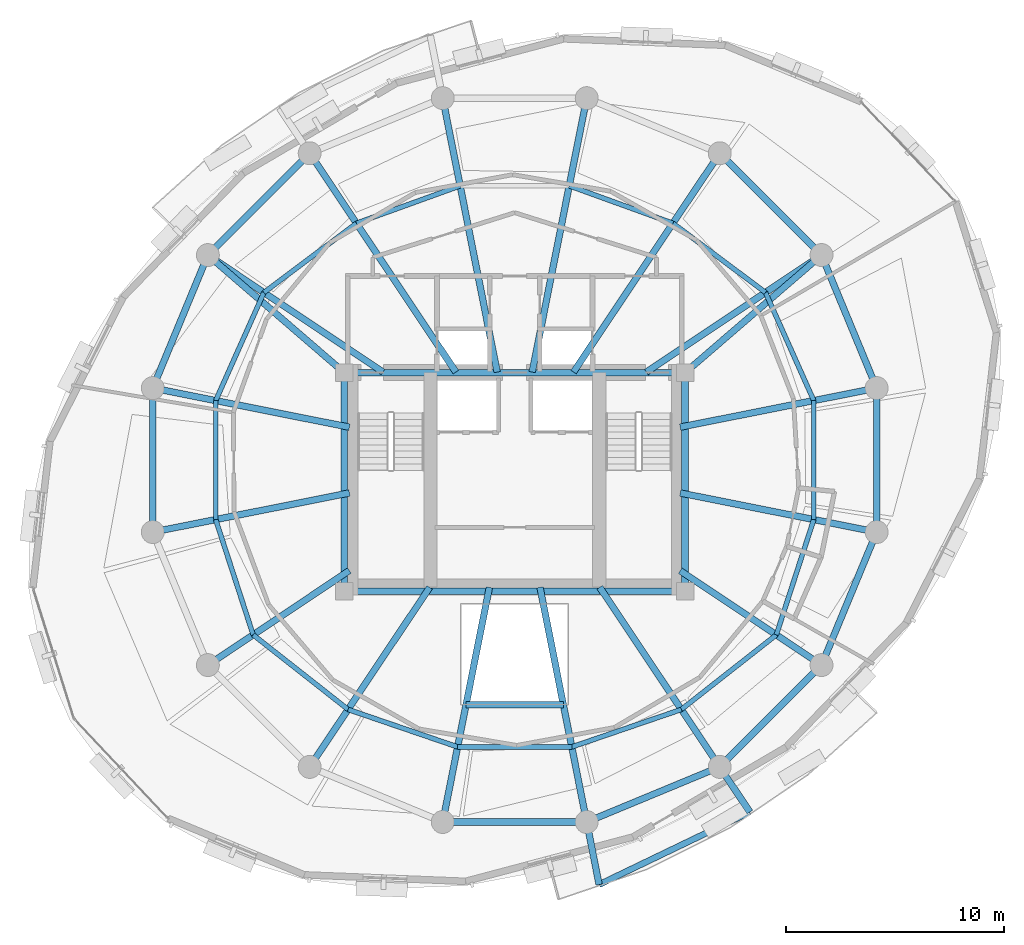
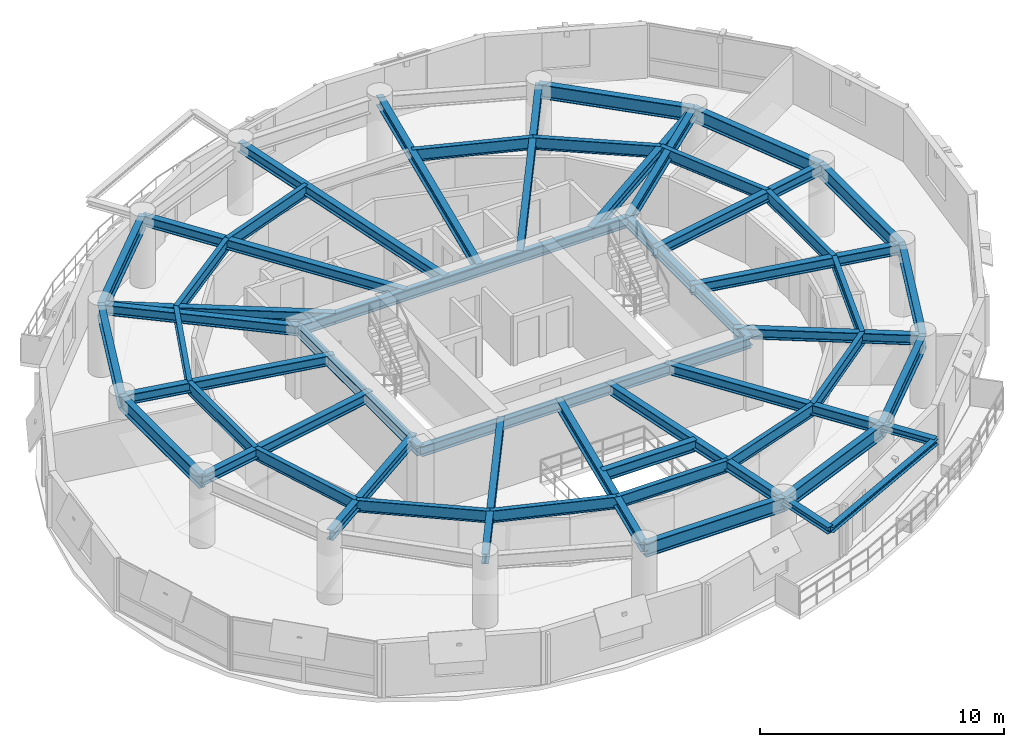
# One storey, part 5 of 14: 51 beams.
"""IFC4 building model written with IfcOpenShell, lengths in metres."""

from ifc_helpers import new_model, si_unit, direction, frame, origin, origin_2d, place, context, subcontext, project, spatial, i_section, extrude, material, material_profile, profile_set, type_object, element, save


model = new_model("IFC4")

# Units and contexts
model_context = context("Model", 3, precision=1e-05, world=origin(), true_north=direction((0.0, 1.0)))
body_context = subcontext(model_context, "Body", "Model", "MODEL_VIEW")
ifc_project = project(units=[si_unit("LENGTHUNIT", "METRE"), si_unit("AREAUNIT", "SQUARE_METRE"), si_unit("VOLUMEUNIT", "CUBIC_METRE"), si_unit("PLANEANGLEUNIT", "RADIAN"), si_unit("MASSUNIT", "GRAM", prefix="KILO"), si_unit("THERMODYNAMICTEMPERATUREUNIT", "KELVIN"), si_unit("POWERUNIT", "WATT")], contexts=[model_context])

# Site, building, storey
site_placement = place(None, origin())
site = spatial("IfcSite", under=ifc_project, at=site_placement, CompositionType="ELEMENT")
building_placement = place(site_placement, origin())
building = spatial("IfcBuilding", under=site, at=building_placement, Name="Ocrelia Relay Tower", CompositionType="ELEMENT")
storey_placement = place(building_placement, frame((0.0, 0.0, 162.800048828125)))
storey = spatial("IfcBuildingStorey", under=building, at=storey_placement, Name="L38", CompositionType="ELEMENT", Elevation=162.800048828125)

# Beams
ifc_material = material(Name="Steel S355", Category="steel")
ifc_material_profile_1 = material_profile(ifc_material, i_section(OverallWidth=0.280029296875, OverallDepth=0.27001953125, WebThickness=0.008056640625, FlangeThickness=0.012939453125, FilletRadius=0.02392578125, at=origin_2d()), Name="HEA 280")
ifc_profile_set_1 = profile_set([ifc_material_profile_1], Name="Steel S355")
beam_type_1 = type_object("IfcBeamType", Name="BM-HEA280", PredefinedType="BEAM", material=ifc_profile_set_1)
beam_1_placement = place(storey_placement, frame((37.8671875, 6.5576171875, 3.244873046875), z_axis=(0.900981832354, 0.433856817129, 0.0), x_axis=(-0.433856817129, 0.900981832354, 0.0)))
element("IfcBeam", 1, at=beam_1_placement, inside=storey, type_object=beam_type_1, Name="L39 Balcony Edge Trimmer Beam B2", PredefinedType="BEAM", context=body_context, shape_type="SweptSolid", body=[
    extrude(i_section(OverallWidth=0.280029296875, OverallDepth=0.27001953125, WebThickness=0.008056640625, FlangeThickness=0.012939453125, FilletRadius=0.02392578125, at=origin_2d()), origin(), (0.0, 0.0, 1.0), 7.661376953125),
])
ifc_material_profile_2 = material_profile(ifc_material, i_section(OverallWidth=0.300048828125, OverallDepth=0.330078125, WebThickness=0.009521484375, FlangeThickness=0.0166015625, FilletRadius=0.027099609375, at=origin_2d()), Name="HEA 340")
ifc_profile_set_2 = profile_set([ifc_material_profile_2], Name="Steel S355")
beam_type_2 = type_object("IfcBeamType", Name="BM-HEA340", PredefinedType="BEAM", material=ifc_profile_set_2)
beam_2_placement = place(storey_placement, frame((37.297119140625, 9.4248046875, 3.21484375), z_axis=(0.195007828368, -0.980801685804, 0.0), x_axis=(0.980801685804, 0.195007828368, 0.0)))
element("IfcBeam", 2, at=beam_2_placement, inside=storey, type_object=beam_type_2, Name="L39 Balcony Cantilever Beam B2-1", PredefinedType="BEAM", context=body_context, shape_type="SweptSolid", body=[
    extrude(i_section(OverallWidth=0.300048828125, OverallDepth=0.330078125, WebThickness=0.009521484375, FlangeThickness=0.0166015625, FilletRadius=0.027099609375, at=origin_2d()), origin(), (0.0, 0.0, 1.0), 2.92333984375),
])
beam_3_placement = place(storey_placement, frame((43.38916015625, 11.9482421875, 3.21484375), z_axis=(0.555561257704, -0.831475609347, 0.0), x_axis=(0.831475609347, 0.555561257704, 0.0)))
element("IfcBeam", 3, at=beam_3_placement, inside=storey, type_object=beam_type_2, Name="L39 Balcony Cantilever Beam B2-2", PredefinedType="BEAM", context=body_context, shape_type="SweptSolid", body=[
    extrude(i_section(OverallWidth=0.300048828125, OverallDepth=0.330078125, WebThickness=0.009521484375, FlangeThickness=0.0166015625, FilletRadius=0.027099609375, at=origin_2d()), origin(), (0.0, 0.0, 1.0), 2.485595703125),
])
ifc_material_profile_3 = material_profile(ifc_material, i_section(OverallWidth=0.300048828125, OverallDepth=0.5, WebThickness=0.014404296875, FlangeThickness=0.028076171875, FilletRadius=0.027099609375, at=origin_2d()), Name="HEB 500")
ifc_profile_set_3 = profile_set([ifc_material_profile_3], Name="Steel S355")
beam_type_3 = type_object("IfcBeamType", Name="BM-HEB500", PredefinedType="BEAM", material=ifc_profile_set_3)
for number, where, z_axis, x_axis, name in (
    (4, (26.199951171875, 20.0, 3.1298828125), (1.0, 0.0, 0.0), (0.0, 1.0, 0.0), "L38 Core Pilaster Tie Beam S"),
    (5, (26.199951171875, 30.0, 3.1298828125), (1.0, 0.0, 0.0), (0.0, 1.0, 0.0), "L38 Core Pilaster Tie Beam N"),
):
    element("IfcBeam", number, at=place(storey_placement, frame(where, z_axis=z_axis, x_axis=x_axis)), inside=storey, type_object=beam_type_3, Name=name, PredefinedType="BEAM", context=body_context, shape_type="SweptSolid", body=[
        extrude(i_section(OverallWidth=0.300048828125, OverallDepth=0.5, WebThickness=0.014404296875, FlangeThickness=0.028076171875, FilletRadius=0.027099609375, at=origin_2d()), origin(), (0.0, 0.0, 1.0), 15.60009765625),
    ])
for number, where, z_axis, x_axis, name in (
    (6, (26.199951171875, 20.0, 3.1298828125), (0.0, 1.0, 0.0), (-1.0, 0.0, 0.0), "L38 Core Pilaster Tie Beam W"),
    (7, (41.800048828125, 20.0, 3.1298828125), (0.0, 1.0, 0.0), (-1.0, 0.0, 0.0), "L38 Core Pilaster Tie Beam E"),
):
    element("IfcBeam", number, at=place(storey_placement, frame(where, z_axis=z_axis, x_axis=x_axis)), inside=storey, type_object=beam_type_3, Name=name, PredefinedType="BEAM", context=body_context, shape_type="SweptSolid", body=[
        extrude(i_section(OverallWidth=0.300048828125, OverallDepth=0.5, WebThickness=0.014404296875, FlangeThickness=0.028076171875, FilletRadius=0.027099609375, at=origin_2d()), origin(), (0.0, 0.0, 1.0), 10.0),
    ])
beam_4_placement = place(storey_placement, frame((50.5751953125, 29.297119140625, 3.1298828125), z_axis=(-0.980783891197, -0.1950973059, 0.0), x_axis=(0.1950973059, -0.980783891197, 0.0)))
element("IfcBeam", 8, at=beam_4_placement, inside=storey, type_object=beam_type_3, Name="L38 Radial Floor Girder R01", PredefinedType="BEAM", context=body_context, shape_type="SweptSolid", body=[
    extrude(i_section(OverallWidth=0.300048828125, OverallDepth=0.5, WebThickness=0.014404296875, FlangeThickness=0.028076171875, FilletRadius=0.027099609375, at=origin_2d()), origin(), (0.0, 0.0, 1.0), 9.17138671875),
])
beam_5_placement = place(storey_placement, frame((48.0517578125, 35.38916015625, 3.1298828125), z_axis=(-0.831469666235, -0.555570152305, 0.0), x_axis=(0.555570152305, -0.831469666235, 0.0)))
element("IfcBeam", 9, at=beam_5_placement, inside=storey, type_object=beam_type_3, Name="L38 Radial Floor Girder R02", PredefinedType="BEAM", context=body_context, shape_type="SweptSolid", body=[
    extrude(i_section(OverallWidth=0.300048828125, OverallDepth=0.5, WebThickness=0.014404296875, FlangeThickness=0.028076171875, FilletRadius=0.027099609375, at=origin_2d()), origin(), (0.0, 0.0, 1.0), 9.646240234375),
])
beam_6_placement = place(storey_placement, frame((48.0517578125, 35.38916015625, 3.1298828125), z_axis=(-0.757424589403, -0.652922653434, 0.0), x_axis=(0.652922653434, -0.757424589403, 0.0)))
element("IfcBeam", 10, at=beam_6_placement, inside=storey, type_object=beam_type_3, Name="L38 Core Pilaster Frame Tie Beam PT02", PredefinedType="BEAM", context=body_context, shape_type="SweptSolid", body=[
    extrude(i_section(OverallWidth=0.300048828125, OverallDepth=0.5, WebThickness=0.014404296875, FlangeThickness=0.028076171875, FilletRadius=0.027099609375, at=origin_2d()), origin(), (0.0, 0.0, 1.0), 8.25390625),
])
beam_7_placement = place(storey_placement, frame((43.38916015625, 40.0517578125, 3.1298828125), z_axis=(-0.55556932408, -0.831470219636, 0.0), x_axis=(0.831470219636, -0.55556932408, 0.0)))
element("IfcBeam", 11, at=beam_7_placement, inside=storey, type_object=beam_type_3, Name="L38 Radial Floor Girder R03", PredefinedType="BEAM", context=body_context, shape_type="SweptSolid", body=[
    extrude(i_section(OverallWidth=0.300048828125, OverallDepth=0.5, WebThickness=0.014404296875, FlangeThickness=0.028076171875, FilletRadius=0.027099609375, at=origin_2d()), origin(), (0.0, 0.0, 1.0), 12.052978515625),
])
for number, where, z_axis, x_axis, name in (
    (12, (37.297119140625, 42.5751953125, 3.1298828125), (-0.195106626135, -0.980782037171, 0.0), (0.980782037171, -0.195106626135, 0.0), "L38 Radial Floor Girder R04"),
    (13, (30.702880859375, 42.5751953125, 3.1298828125), (0.195106626135, -0.980782037171, 0.0), (0.980782037171, 0.195106626135, 0.0), "L38 Radial Floor Girder R05"),
):
    element("IfcBeam", number, at=place(storey_placement, frame(where, z_axis=z_axis, x_axis=x_axis)), inside=storey, type_object=beam_type_3, Name=name, PredefinedType="BEAM", context=body_context, shape_type="SweptSolid", body=[
        extrude(i_section(OverallWidth=0.300048828125, OverallDepth=0.5, WebThickness=0.014404296875, FlangeThickness=0.028076171875, FilletRadius=0.027099609375, at=origin_2d()), origin(), (0.0, 0.0, 1.0), 12.791015625),
    ])
beam_8_placement = place(storey_placement, frame((24.61083984375, 40.0517578125, 3.1298828125), z_axis=(0.55556932408, -0.831470219636, 0.0), x_axis=(0.831470219636, 0.55556932408, 0.0)))
element("IfcBeam", 14, at=beam_8_placement, inside=storey, type_object=beam_type_3, Name="L38 Radial Floor Girder R06", PredefinedType="BEAM", context=body_context, shape_type="SweptSolid", body=[
    extrude(i_section(OverallWidth=0.300048828125, OverallDepth=0.5, WebThickness=0.014404296875, FlangeThickness=0.028076171875, FilletRadius=0.027099609375, at=origin_2d()), origin(), (0.0, 0.0, 1.0), 12.052978515625),
])
beam_9_placement = place(storey_placement, frame((19.9482421875, 35.38916015625, 3.1298828125), z_axis=(0.831469666235, -0.555570152305, 0.0), x_axis=(0.555570152305, 0.831469666235, 0.0)))
element("IfcBeam", 15, at=beam_9_placement, inside=storey, type_object=beam_type_3, Name="L38 Radial Floor Girder R07", PredefinedType="BEAM", context=body_context, shape_type="SweptSolid", body=[
    extrude(i_section(OverallWidth=0.300048828125, OverallDepth=0.5, WebThickness=0.014404296875, FlangeThickness=0.028076171875, FilletRadius=0.027099609375, at=origin_2d()), origin(), (0.0, 0.0, 1.0), 9.646240234375),
])
beam_10_placement = place(storey_placement, frame((19.9482421875, 35.38916015625, 3.1298828125), z_axis=(0.757424589403, -0.652922653434, 0.0), x_axis=(0.652922653434, 0.757424589403, 0.0)))
element("IfcBeam", 16, at=beam_10_placement, inside=storey, type_object=beam_type_3, Name="L38 Core Pilaster Frame Tie Beam PT07", PredefinedType="BEAM", context=body_context, shape_type="SweptSolid", body=[
    extrude(i_section(OverallWidth=0.300048828125, OverallDepth=0.5, WebThickness=0.014404296875, FlangeThickness=0.028076171875, FilletRadius=0.027099609375, at=origin_2d()), origin(), (0.0, 0.0, 1.0), 8.25390625),
])
for number, where, z_axis, x_axis, name in (
    (17, (17.4248046875, 29.297119140625, 3.1298828125), (0.980784683446, -0.195093323097, 0.0), (0.195093323097, 0.980784683446, 0.0), "L38 Radial Floor Girder R08"),
    (18, (17.4248046875, 22.702880859375, 3.1298828125), (0.980784683446, 0.195093323097, 0.0), (-0.195093323097, 0.980784683446, 0.0), "L38 Radial Floor Girder R09"),
):
    element("IfcBeam", number, at=place(storey_placement, frame(where, z_axis=z_axis, x_axis=x_axis)), inside=storey, type_object=beam_type_3, Name=name, PredefinedType="BEAM", context=body_context, shape_type="SweptSolid", body=[
        extrude(i_section(OverallWidth=0.300048828125, OverallDepth=0.5, WebThickness=0.014404296875, FlangeThickness=0.028076171875, FilletRadius=0.027099609375, at=origin_2d()), origin(), (0.0, 0.0, 1.0), 9.181640625),
    ])
beam_11_placement = place(storey_placement, frame((19.9482421875, 16.61083984375, 3.1298828125), z_axis=(0.831462012084, 0.555581607382, 0.0), x_axis=(-0.555581607382, 0.831462012084, 0.0)))
element("IfcBeam", 19, at=beam_11_placement, inside=storey, type_object=beam_type_3, Name="L38 Radial Floor Girder R10", PredefinedType="BEAM", context=body_context, shape_type="SweptSolid", body=[
    extrude(i_section(OverallWidth=0.300048828125, OverallDepth=0.5, WebThickness=0.014404296875, FlangeThickness=0.028076171875, FilletRadius=0.027099609375, at=origin_2d()), origin(), (0.0, 0.0, 1.0), 7.795654296875),
])
beam_12_placement = place(storey_placement, frame((24.61083984375, 11.9482421875, 3.1298828125), z_axis=(0.555577337069, 0.831464865485, 0.0), x_axis=(-0.831464865485, 0.555577337069, 0.0)))
element("IfcBeam", 20, at=beam_12_placement, inside=storey, type_object=beam_type_3, Name="L38 Radial Floor Girder R11", PredefinedType="BEAM", context=body_context, shape_type="SweptSolid", body=[
    extrude(i_section(OverallWidth=0.300048828125, OverallDepth=0.5, WebThickness=0.014404296875, FlangeThickness=0.028076171875, FilletRadius=0.027099609375, at=origin_2d()), origin(), (0.0, 0.0, 1.0), 9.88818359375),
])
for number, where, z_axis, x_axis, name in (
    (21, (30.702880859375, 9.4248046875, 3.1298828125), (0.195100373206, 0.980783281044, 0.0), (-0.980783281044, 0.195100373206, 0.0), "L38 Radial Floor Girder R12"),
    (22, (37.297119140625, 9.4248046875, 3.1298828125), (-0.195100373206, 0.980783281044, 0.0), (-0.980783281044, -0.195100373206, 0.0), "L38 Radial Floor Girder R13"),
):
    element("IfcBeam", number, at=place(storey_placement, frame(where, z_axis=z_axis, x_axis=x_axis)), inside=storey, type_object=beam_type_3, Name=name, PredefinedType="BEAM", context=body_context, shape_type="SweptSolid", body=[
        extrude(i_section(OverallWidth=0.300048828125, OverallDepth=0.5, WebThickness=0.014404296875, FlangeThickness=0.028076171875, FilletRadius=0.027099609375, at=origin_2d()), origin(), (0.0, 0.0, 1.0), 10.95556640625),
    ])
beam_13_placement = place(storey_placement, frame((43.38916015625, 11.9482421875, 3.1298828125), z_axis=(-0.555577337069, 0.831464865485, 0.0), x_axis=(-0.831464865485, -0.555577337069, 0.0)))
element("IfcBeam", 23, at=beam_13_placement, inside=storey, type_object=beam_type_3, Name="L38 Radial Floor Girder R14", PredefinedType="BEAM", context=body_context, shape_type="SweptSolid", body=[
    extrude(i_section(OverallWidth=0.300048828125, OverallDepth=0.5, WebThickness=0.014404296875, FlangeThickness=0.028076171875, FilletRadius=0.027099609375, at=origin_2d()), origin(), (0.0, 0.0, 1.0), 9.88818359375),
])
beam_14_placement = place(storey_placement, frame((48.0517578125, 16.61083984375, 3.1298828125), z_axis=(-0.831456272244, 0.555590197309, 0.0), x_axis=(-0.555590197309, -0.831456272244, 0.0)))
element("IfcBeam", 24, at=beam_14_placement, inside=storey, type_object=beam_type_3, Name="L38 Radial Floor Girder R15", PredefinedType="BEAM", context=body_context, shape_type="SweptSolid", body=[
    extrude(i_section(OverallWidth=0.300048828125, OverallDepth=0.5, WebThickness=0.014404296875, FlangeThickness=0.028076171875, FilletRadius=0.027099609375, at=origin_2d()), origin(), (0.0, 0.0, 1.0), 7.783447265625),
])
beam_15_placement = place(storey_placement, frame((50.5751953125, 22.702880859375, 3.1298828125), z_axis=(-0.980783891197, 0.1950973059, 0.0), x_axis=(-0.1950973059, -0.980783891197, 0.0)))
element("IfcBeam", 25, at=beam_15_placement, inside=storey, type_object=beam_type_3, Name="L38 Radial Floor Girder R16", PredefinedType="BEAM", context=body_context, shape_type="SweptSolid", body=[
    extrude(i_section(OverallWidth=0.300048828125, OverallDepth=0.5, WebThickness=0.014404296875, FlangeThickness=0.028076171875, FilletRadius=0.027099609375, at=origin_2d()), origin(), (0.0, 0.0, 1.0), 9.17138671875),
])
ifc_material_profile_4 = material_profile(ifc_material, i_section(OverallWidth=0.300048828125, OverallDepth=0.550048828125, WebThickness=0.014892578125, FlangeThickness=0.029052734375, FilletRadius=0.027099609375, at=origin_2d()), Name="HEB 550")
ifc_profile_set_4 = profile_set([ifc_material_profile_4], Name="Steel S355")
beam_type_4 = type_object("IfcBeamType", Name="BM-HEB550", PredefinedType="BEAM", material=ifc_profile_set_4)
beam_16_placement = place(storey_placement, frame((31.772216796875, 14.800048828125, 3.10498046875), z_axis=(1.0, 0.0, 0.0), x_axis=(0.0, 1.0, 0.0)))
element("IfcBeam", 26, at=beam_16_placement, inside=storey, type_object=beam_type_4, Name="L38 Atrium South Trimmer Beam", PredefinedType="BEAM", context=body_context, shape_type="SweptSolid", body=[
    extrude(i_section(OverallWidth=0.300048828125, OverallDepth=0.550048828125, WebThickness=0.014892578125, FlangeThickness=0.029052734375, FilletRadius=0.027099609375, at=origin_2d()), origin(), (0.0, 0.0, 1.0), 4.45556640625),
])
ifc_material_profile_5 = material_profile(ifc_material, i_section(OverallWidth=0.300048828125, OverallDepth=0.699951171875, WebThickness=0.01708984375, FlangeThickness=0.031982421875, FilletRadius=0.027099609375, at=origin_2d()), Name="HEB 700")
ifc_profile_set_5 = profile_set([ifc_material_profile_5], Name="Steel S355")
beam_type_5 = type_object("IfcBeamType", Name="BM-HEB700", PredefinedType="BEAM", material=ifc_profile_set_5)
for number, where, z_axis, x_axis, name in (
    (27, (50.5751953125, 29.297119140625, 3.030029296875), (-0.382687508402, 0.923877844151, 0.0), (-0.923877844151, -0.382687508402, 0.0), "L38 Perimeter Spandrel Beam S01"),
    (28, (48.0517578125, 35.38916015625, 3.030029296875), (-0.707106781187, 0.707106781187, 0.0), (-0.707106781187, -0.707106781187, 0.0), "L38 Perimeter Spandrel Beam S02"),
    (29, (24.61083984375, 40.0517578125, 3.030029296875), (-0.707106781187, -0.707106781187, 0.0), (0.707106781187, -0.707106781187, 0.0), "L38 Perimeter Spandrel Beam S06"),
    (30, (19.9482421875, 35.38916015625, 3.030029296875), (-0.382687508402, -0.923877844151, 0.0), (0.923877844151, -0.382687508402, 0.0), "L38 Perimeter Spandrel Beam S07"),
):
    element("IfcBeam", number, at=place(storey_placement, frame(where, z_axis=z_axis, x_axis=x_axis)), inside=storey, type_object=beam_type_5, Name=name, PredefinedType="BEAM", context=body_context, shape_type="SweptSolid", body=[
        extrude(i_section(OverallWidth=0.300048828125, OverallDepth=0.699951171875, WebThickness=0.01708984375, FlangeThickness=0.031982421875, FilletRadius=0.027099609375, at=origin_2d()), origin(), (0.0, 0.0, 1.0), 6.593994140625),
    ])
for number, where, z_axis, x_axis, name in (
    (31, (17.4248046875, 29.297119140625, 3.030029296875), (0.0, -1.0, 0.0), (1.0, 0.0, 0.0), "L38 Perimeter Spandrel Beam S08"),
    (32, (30.702880859375, 9.4248046875, 3.030029296875), (1.0, 0.0, 0.0), (0.0, 1.0, 0.0), "L38 Perimeter Spandrel Beam S12"),
):
    element("IfcBeam", number, at=place(storey_placement, frame(where, z_axis=z_axis, x_axis=x_axis)), inside=storey, type_object=beam_type_5, Name=name, PredefinedType="BEAM", context=body_context, shape_type="SweptSolid", body=[
        extrude(i_section(OverallWidth=0.300048828125, OverallDepth=0.699951171875, WebThickness=0.01708984375, FlangeThickness=0.031982421875, FilletRadius=0.027099609375, at=origin_2d()), origin(), (0.0, 0.0, 1.0), 6.59423828125),
    ])
for number, where, z_axis, x_axis, name in (
    (33, (37.297119140625, 9.4248046875, 3.030029296875), (0.923877844151, 0.382687508402, 0.0), (-0.382687508402, 0.923877844151, 0.0), "L38 Perimeter Spandrel Beam S13"),
    (34, (43.38916015625, 11.9482421875, 3.030029296875), (0.707106781187, 0.707106781187, 0.0), (-0.707106781187, 0.707106781187, 0.0), "L38 Perimeter Spandrel Beam S14"),
    (35, (48.0517578125, 16.61083984375, 3.030029296875), (0.382687508402, 0.923877844151, 0.0), (-0.923877844151, 0.382687508402, 0.0), "L38 Perimeter Spandrel Beam S15"),
):
    element("IfcBeam", number, at=place(storey_placement, frame(where, z_axis=z_axis, x_axis=x_axis)), inside=storey, type_object=beam_type_5, Name=name, PredefinedType="BEAM", context=body_context, shape_type="SweptSolid", body=[
        extrude(i_section(OverallWidth=0.300048828125, OverallDepth=0.699951171875, WebThickness=0.01708984375, FlangeThickness=0.031982421875, FilletRadius=0.027099609375, at=origin_2d()), origin(), (0.0, 0.0, 1.0), 6.593994140625),
    ])
beam_17_placement = place(storey_placement, frame((50.5751953125, 22.702880859375, 3.030029296875), z_axis=(0.0, 1.0, 0.0), x_axis=(-1.0, 0.0, 0.0)))
element("IfcBeam", 36, at=beam_17_placement, inside=storey, type_object=beam_type_5, Name="L38 Perimeter Spandrel Beam S16", PredefinedType="BEAM", context=body_context, shape_type="SweptSolid", body=[
    extrude(i_section(OverallWidth=0.300048828125, OverallDepth=0.699951171875, WebThickness=0.01708984375, FlangeThickness=0.031982421875, FilletRadius=0.027099609375, at=origin_2d()), origin(), (0.0, 0.0, 1.0), 6.59423828125),
])
ifc_material_profile_6 = material_profile(ifc_material, i_section(OverallWidth=0.219970703125, OverallDepth=0.60009765625, WebThickness=0.011962890625, FlangeThickness=0.01904296875, FilletRadius=0.02392578125, at=origin_2d()), Name="IPE 600")
ifc_profile_set_6 = profile_set([ifc_material_profile_6], Name="Steel S355")
beam_type_6 = type_object("IfcBeamType", Name="BM-IPE600", PredefinedType="JOIST", material=ifc_profile_set_6)
beam_18_placement = place(storey_placement, frame((47.69677734375, 28.724365234375, 3.079833984375), z_axis=(-0.407938464853, 0.913009424318, 0.0), x_axis=(-0.913009424318, -0.407938464853, 0.0)))
element("IfcBeam", 37, at=beam_18_placement, inside=storey, type_object=beam_type_6, Name="L38 Secondary Floor Joist J01", PredefinedType="JOIST", context=body_context, shape_type="SweptSolid", body=[
    extrude(i_section(OverallWidth=0.219970703125, OverallDepth=0.60009765625, WebThickness=0.011962890625, FlangeThickness=0.01904296875, FilletRadius=0.02392578125, at=origin_2d()), origin(), (0.0, 0.0, 1.0), 5.421630859375),
])
beam_19_placement = place(storey_placement, frame((45.485107421875, 33.67431640625, 3.079833984375), z_axis=(-0.800785247359, 0.598951573678, 0.0), x_axis=(-0.598951573678, -0.800785247359, 0.0)))
element("IfcBeam", 38, at=beam_19_placement, inside=storey, type_object=beam_type_6, Name="L38 Secondary Floor Joist J02", PredefinedType="JOIST", context=body_context, shape_type="SweptSolid", body=[
    extrude(i_section(OverallWidth=0.219970703125, OverallDepth=0.60009765625, WebThickness=0.011962890625, FlangeThickness=0.01904296875, FilletRadius=0.02392578125, at=origin_2d()), origin(), (0.0, 0.0, 1.0), 5.293212890625),
])
for number, where, z_axis, x_axis, name in (
    (39, (41.246337890625, 36.8447265625, 3.079833984375), (-0.940453871246, 0.339921338046, 0.0), (-0.339921338046, -0.940453871246, 0.0), "L38 Secondary Floor Joist J03"),
    (40, (31.50146484375, 38.560791015625, 3.079833984375), (-0.940453871246, -0.339921338046, 0.0), (0.339921338046, -0.940453871246, 0.0), "L38 Secondary Floor Joist J05"),
):
    element("IfcBeam", number, at=place(storey_placement, frame(where, z_axis=z_axis, x_axis=x_axis)), inside=storey, type_object=beam_type_6, Name=name, PredefinedType="JOIST", context=body_context, shape_type="SweptSolid", body=[
        extrude(i_section(OverallWidth=0.219970703125, OverallDepth=0.60009765625, WebThickness=0.011962890625, FlangeThickness=0.01904296875, FilletRadius=0.02392578125, at=origin_2d()), origin(), (0.0, 0.0, 1.0), 5.04833984375),
    ])
beam_20_placement = place(storey_placement, frame((26.753662109375, 36.8447265625, 3.079833984375), z_axis=(-0.800785247359, -0.598951573678, 0.0), x_axis=(0.598951573678, -0.800785247359, 0.0)))
element("IfcBeam", 41, at=beam_20_placement, inside=storey, type_object=beam_type_6, Name="L38 Secondary Floor Joist J06", PredefinedType="JOIST", context=body_context, shape_type="SweptSolid", body=[
    extrude(i_section(OverallWidth=0.219970703125, OverallDepth=0.60009765625, WebThickness=0.011962890625, FlangeThickness=0.01904296875, FilletRadius=0.02392578125, at=origin_2d()), origin(), (0.0, 0.0, 1.0), 5.293212890625),
])
beam_21_placement = place(storey_placement, frame((22.514892578125, 33.67431640625, 3.079833984375), z_axis=(-0.407416785709, -0.913242335157, 0.0), x_axis=(0.913242335157, -0.407416785709, 0.0)))
element("IfcBeam", 42, at=beam_21_placement, inside=storey, type_object=beam_type_6, Name="L38 Secondary Floor Joist J07", PredefinedType="JOIST", context=body_context, shape_type="SweptSolid", body=[
    extrude(i_section(OverallWidth=0.219970703125, OverallDepth=0.60009765625, WebThickness=0.011962890625, FlangeThickness=0.01904296875, FilletRadius=0.02392578125, at=origin_2d()), origin(), (0.0, 0.0, 1.0), 5.420654296875),
])
beam_22_placement = place(storey_placement, frame((20.306396484375, 28.723876953125, 3.079833984375), z_axis=(0.0, -1.0, 0.0), x_axis=(1.0, 0.0, 0.0)))
element("IfcBeam", 43, at=beam_22_placement, inside=storey, type_object=beam_type_6, Name="L38 Secondary Floor Joist J08", PredefinedType="JOIST", context=body_context, shape_type="SweptSolid", body=[
    extrude(i_section(OverallWidth=0.219970703125, OverallDepth=0.60009765625, WebThickness=0.011962890625, FlangeThickness=0.01904296875, FilletRadius=0.02392578125, at=origin_2d()), origin(), (0.0, 0.0, 1.0), 5.44775390625),
])
beam_23_placement = place(storey_placement, frame((20.306396484375, 23.276123046875, 3.079833984375), z_axis=(0.309133805786, -0.951018554036, 0.0), x_axis=(0.951018554036, 0.309133805786, 0.0)))
element("IfcBeam", 44, at=beam_23_placement, inside=storey, type_object=beam_type_6, Name="L38 Secondary Floor Joist J09", PredefinedType="JOIST", context=body_context, shape_type="SweptSolid", body=[
    extrude(i_section(OverallWidth=0.219970703125, OverallDepth=0.60009765625, WebThickness=0.011962890625, FlangeThickness=0.01904296875, FilletRadius=0.02392578125, at=origin_2d()), origin(), (0.0, 0.0, 1.0), 5.55126953125),
])
beam_24_placement = place(storey_placement, frame((22.0224609375, 17.996826171875, 3.079833984375), z_axis=(0.786083859045, -0.618119864224, 0.0), x_axis=(0.618119864224, 0.786083859045, 0.0)))
element("IfcBeam", 45, at=beam_24_placement, inside=storey, type_object=beam_type_6, Name="L38 Secondary Floor Joist J10", PredefinedType="JOIST", context=body_context, shape_type="SweptSolid", body=[
    extrude(i_section(OverallWidth=0.219970703125, OverallDepth=0.60009765625, WebThickness=0.011962890625, FlangeThickness=0.01904296875, FilletRadius=0.02392578125, at=origin_2d()), origin(), (0.0, 0.0, 1.0), 5.529296875),
])
beam_25_placement = place(storey_placement, frame((26.368896484375, 14.5791015625, 3.079833984375), z_axis=(0.946215174492, -0.323538009454, 0.0), x_axis=(0.323538009454, 0.946215174492, 0.0)))
element("IfcBeam", 46, at=beam_25_placement, inside=storey, type_object=beam_type_6, Name="L38 Secondary Floor Joist J11", PredefinedType="JOIST", context=body_context, shape_type="SweptSolid", body=[
    extrude(i_section(OverallWidth=0.219970703125, OverallDepth=0.60009765625, WebThickness=0.011962890625, FlangeThickness=0.01904296875, FilletRadius=0.02392578125, at=origin_2d()), origin(), (0.0, 0.0, 1.0), 5.30322265625),
])
beam_26_placement = place(storey_placement, frame((31.386962890625, 12.86328125, 3.079833984375), z_axis=(1.0, 0.0, 0.0), x_axis=(0.0, 1.0, 0.0)))
element("IfcBeam", 47, at=beam_26_placement, inside=storey, type_object=beam_type_6, Name="L38 Secondary Floor Joist J12", PredefinedType="JOIST", context=body_context, shape_type="SweptSolid", body=[
    extrude(i_section(OverallWidth=0.219970703125, OverallDepth=0.60009765625, WebThickness=0.011962890625, FlangeThickness=0.01904296875, FilletRadius=0.02392578125, at=origin_2d()), origin(), (0.0, 0.0, 1.0), 5.22607421875),
])
beam_27_placement = place(storey_placement, frame((36.613037109375, 12.86328125, 3.079833984375), z_axis=(0.946215174492, 0.323538009454, 0.0), x_axis=(-0.323538009454, 0.946215174492, 0.0)))
element("IfcBeam", 48, at=beam_27_placement, inside=storey, type_object=beam_type_6, Name="L38 Secondary Floor Joist J13", PredefinedType="JOIST", context=body_context, shape_type="SweptSolid", body=[
    extrude(i_section(OverallWidth=0.219970703125, OverallDepth=0.60009765625, WebThickness=0.011962890625, FlangeThickness=0.01904296875, FilletRadius=0.02392578125, at=origin_2d()), origin(), (0.0, 0.0, 1.0), 5.30322265625),
])
beam_28_placement = place(storey_placement, frame((41.631103515625, 14.5791015625, 3.079833984375), z_axis=(0.78649600233, 0.617595367793, 0.0), x_axis=(-0.617595367793, 0.78649600233, 0.0)))
element("IfcBeam", 49, at=beam_28_placement, inside=storey, type_object=beam_type_6, Name="L38 Secondary Floor Joist J14", PredefinedType="JOIST", context=body_context, shape_type="SweptSolid", body=[
    extrude(i_section(OverallWidth=0.219970703125, OverallDepth=0.60009765625, WebThickness=0.011962890625, FlangeThickness=0.01904296875, FilletRadius=0.02392578125, at=origin_2d()), origin(), (0.0, 0.0, 1.0), 5.5302734375),
])
beam_29_placement = place(storey_placement, frame((45.980712890625, 17.99462890625, 3.079833984375), z_axis=(0.309043322978, 0.95104796121, 0.0), x_axis=(-0.95104796121, 0.309043322978, 0.0)))
element("IfcBeam", 50, at=beam_29_placement, inside=storey, type_object=beam_type_6, Name="L38 Secondary Floor Joist J15", PredefinedType="JOIST", context=body_context, shape_type="SweptSolid", body=[
    extrude(i_section(OverallWidth=0.219970703125, OverallDepth=0.60009765625, WebThickness=0.011962890625, FlangeThickness=0.01904296875, FilletRadius=0.02392578125, at=origin_2d()), origin(), (0.0, 0.0, 1.0), 5.552734375),
])
beam_30_placement = place(storey_placement, frame((47.69677734375, 23.275634765625, 3.079833984375), z_axis=(0.0, 1.0, 0.0), x_axis=(-1.0, 0.0, 0.0)))
element("IfcBeam", 51, at=beam_30_placement, inside=storey, type_object=beam_type_6, Name="L38 Secondary Floor Joist J16", PredefinedType="JOIST", context=body_context, shape_type="SweptSolid", body=[
    extrude(i_section(OverallWidth=0.219970703125, OverallDepth=0.60009765625, WebThickness=0.011962890625, FlangeThickness=0.01904296875, FilletRadius=0.02392578125, at=origin_2d()), origin(), (0.0, 0.0, 1.0), 5.44873046875),
])

save(model, "model.ifc")
